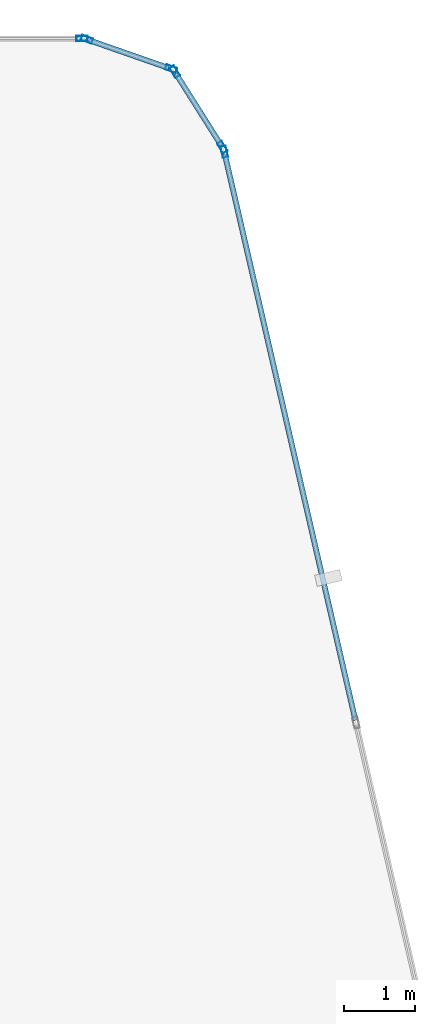
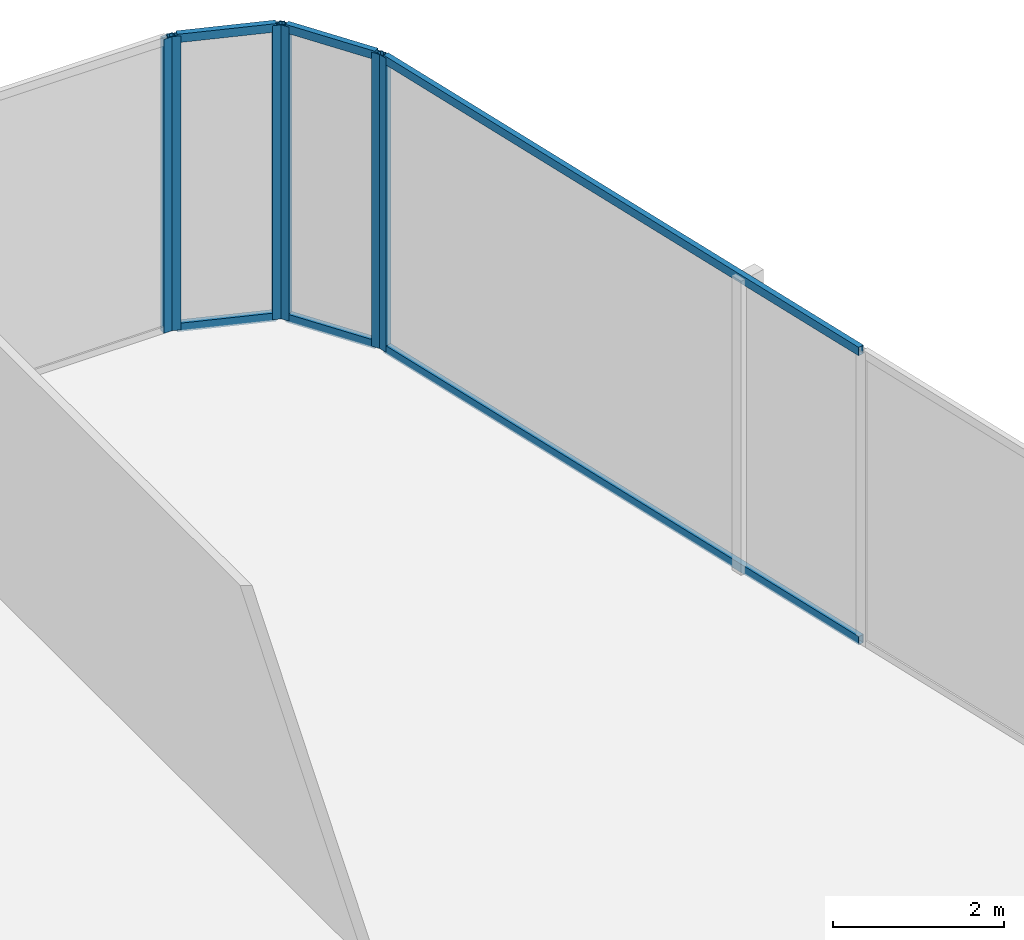
# One storey, part 17 of 24: 12 members, 4 elements without a shape of their own.
"""IFC4 building model written with IfcOpenShell, lengths in metres."""

from ifc_helpers import new_model, si_unit, direction, frame, origin, origin_2d, place, context, subcontext, project, spatial, hollow_rectangle, extrude, material, layer, layer_set, material_profile, profile_set, type_object, element, aggregate, save


model = new_model("IFC4")

# Units and contexts
model_context = context("Model", 3, precision=1e-05, world=origin(), true_north=direction((0.0, 1.0)))
body_context = subcontext(model_context, "Body", "Model", "MODEL_VIEW")
ifc_project = project(units=[si_unit("LENGTHUNIT", "METRE"), si_unit("AREAUNIT", "SQUARE_METRE"), si_unit("VOLUMEUNIT", "CUBIC_METRE"), si_unit("PLANEANGLEUNIT", "RADIAN"), si_unit("MASSUNIT", "GRAM", prefix="KILO")], contexts=[model_context])

# Site, building, storey
site_placement = place(None, origin())
site = spatial("IfcSite", under=ifc_project, at=site_placement, CompositionType="ELEMENT")
building_placement = place(site_placement, origin())
building = spatial("IfcBuilding", under=site, at=building_placement, Name="Keshet Zoharim Tower", CompositionType="ELEMENT")
storey_placement = place(building_placement, frame((0.0, 0.0, 242.800048828125)))
storey = spatial("IfcBuildingStorey", under=building, at=storey_placement, Name="L60", CompositionType="ELEMENT", Elevation=242.800048828125)

# Curtain wall, member
ifc_material = material(Name="Aluminium 6063-T6", Category="aluminium")
ifc_layer = layer(ifc_material, 0.260009765625)
ifc_layer_set = layer_set([ifc_layer], Name="Aluminium 6063-T6")
curtain_wall_type = type_object("IfcCurtainWallType", Name="CW-SYS-06", PredefinedType="NOTDEFINED", material=ifc_layer_set)
curtain_wall_1_placement = place(storey_placement, origin())
curtain_wall_1 = element("IfcCurtainWall", 1, at=curtain_wall_1_placement, inside=storey, type_object=curtain_wall_type, Name="L60 Unitised Curtain Wall 06 Part 5", PredefinedType="NOTDEFINED")
ifc_material_profile_1 = material_profile(ifc_material, hollow_rectangle(XDim=0.074951171875, YDim=0.159912109375, WallThickness=0.00390625, at=origin_2d()), Name="MUL-75x160")
ifc_profile_set_1 = profile_set([ifc_material_profile_1], Name="Aluminium 6063-T6")
member_type_1 = type_object("IfcMemberType", Name="CWM-M15", PredefinedType="MULLION", material=ifc_profile_set_1)
member_1_placement = place(storey_placement, frame((37.3740234375, 53.89990234375, 0.0), z_axis=(0.0, 0.0, 1.0), x_axis=(0.0, 1.0, 0.0)))
member_1 = element("IfcMember", 2, at=member_1_placement, type_object=member_type_1, Name="CW-06 mullion 2", PredefinedType="MULLION", context=body_context, shape_type="SweptSolid", body=[
    extrude(hollow_rectangle(XDim=0.074951171875, YDim=0.159912109375, WallThickness=0.00390625, at=origin_2d()), origin(), (0.0, 0.0, 1.0), 4.18994140625),
])
aggregate(curtain_wall_1, [member_1])

# Curtain wall, members
curtain_wall_2_placement = place(storey_placement, origin())
curtain_wall_2 = element("IfcCurtainWall", 3, at=curtain_wall_2_placement, inside=storey, type_object=curtain_wall_type, Name="L60 Unitised Curtain Wall 07", PredefinedType="NOTDEFINED")
member_2_placement = place(storey_placement, frame((37.442138671875, 53.888427734375, 0.0), z_axis=(0.0, 0.0, 1.0), x_axis=(0.329843743636, 0.944035542119, 0.0)))
member_2 = element("IfcMember", 4, at=member_2_placement, type_object=member_type_1, Name="CW-06 mullion 1", PredefinedType="MULLION", context=body_context, shape_type="SweptSolid", body=[
    extrude(hollow_rectangle(XDim=0.074951171875, YDim=0.159912109375, WallThickness=0.00390625, at=origin_2d()), origin(), (0.0, 0.0, 1.0), 4.18994140625),
])
member_3_placement = place(storey_placement, frame((38.620849609375, 53.4765625, 0.0), z_axis=(0.0, 0.0, 1.0), x_axis=(0.329843743636, 0.944035542119, 0.0)))
member_3 = element("IfcMember", 5, at=member_3_placement, type_object=member_type_1, Name="CW-06 mullion 2", PredefinedType="MULLION", context=body_context, shape_type="SweptSolid", body=[
    extrude(hollow_rectangle(XDim=0.074951171875, YDim=0.159912109375, WallThickness=0.00390625, at=origin_2d()), origin(), (0.0, 0.0, 1.0), 4.18994140625),
])

curtain_wall_3_placement = place(storey_placement, origin())
curtain_wall_3 = element("IfcCurtainWall", 6, at=curtain_wall_3_placement, inside=storey, type_object=curtain_wall_type, Name="L60 Unitised Curtain Wall 08", PredefinedType="NOTDEFINED")
member_4_placement = place(storey_placement, frame((38.672607421875, 53.435302734375, 0.0), z_axis=(0.0, 0.0, 1.0), x_axis=(0.845560976183, 0.533878858502, 0.0)))
member_4 = element("IfcMember", 7, at=member_4_placement, type_object=member_type_1, Name="CW-06 mullion 1", PredefinedType="MULLION", context=body_context, shape_type="SweptSolid", body=[
    extrude(hollow_rectangle(XDim=0.074951171875, YDim=0.159912109375, WallThickness=0.00390625, at=origin_2d()), origin(), (0.0, 0.0, 1.0), 4.18994140625),
])
member_5_placement = place(storey_placement, frame((39.33935546875, 52.379638671875, 0.0), z_axis=(0.0, 0.0, 1.0), x_axis=(0.845560976183, 0.533878858502, 0.0)))
member_5 = element("IfcMember", 8, at=member_5_placement, type_object=member_type_1, Name="CW-06 mullion 2", PredefinedType="MULLION", context=body_context, shape_type="SweptSolid", body=[
    extrude(hollow_rectangle(XDim=0.074951171875, YDim=0.159912109375, WallThickness=0.00390625, at=origin_2d()), origin(), (0.0, 0.0, 1.0), 4.18994140625),
])

# Curtain wall, member
curtain_wall_4_placement = place(storey_placement, origin())
curtain_wall_4 = element("IfcCurtainWall", 9, at=curtain_wall_4_placement, inside=storey, type_object=curtain_wall_type, Name="L60 Unitised Curtain Wall 09", PredefinedType="NOTDEFINED")
member_6_placement = place(storey_placement, frame((39.365966796875, 52.31591796875, 0.0), z_axis=(0.0, 0.0, 1.0), x_axis=(0.974398012932, 0.224829963294, 0.0)))
member_6 = element("IfcMember", 10, at=member_6_placement, type_object=member_type_1, Name="CW-06 mullion 1", PredefinedType="MULLION", context=body_context, shape_type="SweptSolid", body=[
    extrude(hollow_rectangle(XDim=0.074951171875, YDim=0.159912109375, WallThickness=0.00390625, at=origin_2d()), origin(), (0.0, 0.0, 1.0), 4.18994140625),
])

# Member
ifc_material_profile_2 = material_profile(ifc_material, hollow_rectangle(XDim=0.074951171875, YDim=0.1201171875, WallThickness=0.00390625, at=origin_2d()), Name="TRN-75x120")
ifc_profile_set_2 = profile_set([ifc_material_profile_2], Name="Aluminium 6063-T6")
member_type_2 = type_object("IfcMemberType", Name="CWT-T12", PredefinedType="USERDEFINED", material=ifc_profile_set_2)
member_7_placement = place(storey_placement, frame((37.47509765625, 53.876953125, 0.034912109375), z_axis=(0.944006789648, -0.329926023675, 0.0), x_axis=(0.329926023675, 0.944006789648, 0.0)))
member_7 = element("IfcMember", 11, at=member_7_placement, type_object=member_type_2, Name="CW-06 transom 1.1", ObjectType="TRANSOM", PredefinedType="USERDEFINED", context=body_context, shape_type="SweptSolid", body=[
    extrude(hollow_rectangle(XDim=0.074951171875, YDim=0.1201171875, WallThickness=0.00390625, at=origin_2d()), origin(), (0.0, 0.0, 1.0), 1.1787109375),
])

member_8_placement = place(storey_placement, frame((37.47509765625, 53.876953125, 4.155029296875), z_axis=(0.944006789648, -0.329926023675, 0.0), x_axis=(0.329926023675, 0.944006789648, 0.0)))
member_8 = element("IfcMember", 12, at=member_8_placement, type_object=member_type_2, Name="CW-06 transom 1.2", ObjectType="TRANSOM", PredefinedType="USERDEFINED", context=body_context, shape_type="SweptSolid", body=[
    extrude(hollow_rectangle(XDim=0.074951171875, YDim=0.1201171875, WallThickness=0.00390625, at=origin_2d()), origin(), (0.0, 0.0, 1.0), 1.1787109375),
])

aggregate(curtain_wall_2, [member_2, member_3, member_7, member_8])

member_9_placement = place(storey_placement, frame((38.69140625, 53.40576171875, 0.034912109375), z_axis=(0.53382931122, -0.845592257819, 0.0), x_axis=(0.845592257819, 0.53382931122, 0.0)))
member_9 = element("IfcMember", 13, at=member_9_placement, type_object=member_type_2, Name="CW-06 transom 1.1", ObjectType="TRANSOM", PredefinedType="USERDEFINED", context=body_context, shape_type="SweptSolid", body=[
    extrude(hollow_rectangle(XDim=0.074951171875, YDim=0.1201171875, WallThickness=0.00390625, at=origin_2d()), origin(), (0.0, 0.0, 1.0), 1.178466796875),
])

member_10_placement = place(storey_placement, frame((38.69140625, 53.40576171875, 4.155029296875), z_axis=(0.53382931122, -0.845592257819, 0.0), x_axis=(0.845592257819, 0.53382931122, 0.0)))
member_10 = element("IfcMember", 14, at=member_10_placement, type_object=member_type_2, Name="CW-06 transom 1.2", ObjectType="TRANSOM", PredefinedType="USERDEFINED", context=body_context, shape_type="SweptSolid", body=[
    extrude(hollow_rectangle(XDim=0.074951171875, YDim=0.1201171875, WallThickness=0.00390625, at=origin_2d()), origin(), (0.0, 0.0, 1.0), 1.178466796875),
])

aggregate(curtain_wall_3, [member_4, member_5, member_9, member_10])

member_11_placement = place(storey_placement, frame((39.373779296875, 52.28173828125, 0.034912109375), z_axis=(0.224835397421, -0.97439675906, 0.0), x_axis=(0.97439675906, 0.224835397421, 0.0)))
member_11 = element("IfcMember", 15, at=member_11_placement, type_object=member_type_2, Name="CW-06 transom 1.1", ObjectType="TRANSOM", PredefinedType="USERDEFINED", context=body_context, shape_type="SweptSolid", body=[
    extrude(hollow_rectangle(XDim=0.074951171875, YDim=0.1201171875, WallThickness=0.00390625, at=origin_2d()), origin(), (0.0, 0.0, 1.0), 8.13525390625),
])

member_12_placement = place(storey_placement, frame((39.373779296875, 52.28173828125, 4.155029296875), z_axis=(0.224835397421, -0.97439675906, 0.0), x_axis=(0.97439675906, 0.224835397421, 0.0)))
member_12 = element("IfcMember", 16, at=member_12_placement, type_object=member_type_2, Name="CW-06 transom 1.2", ObjectType="TRANSOM", PredefinedType="USERDEFINED", context=body_context, shape_type="SweptSolid", body=[
    extrude(hollow_rectangle(XDim=0.074951171875, YDim=0.1201171875, WallThickness=0.00390625, at=origin_2d()), origin(), (0.0, 0.0, 1.0), 8.13525390625),
])

aggregate(curtain_wall_4, [member_6, member_11, member_12])

save(model, "model.ifc")
